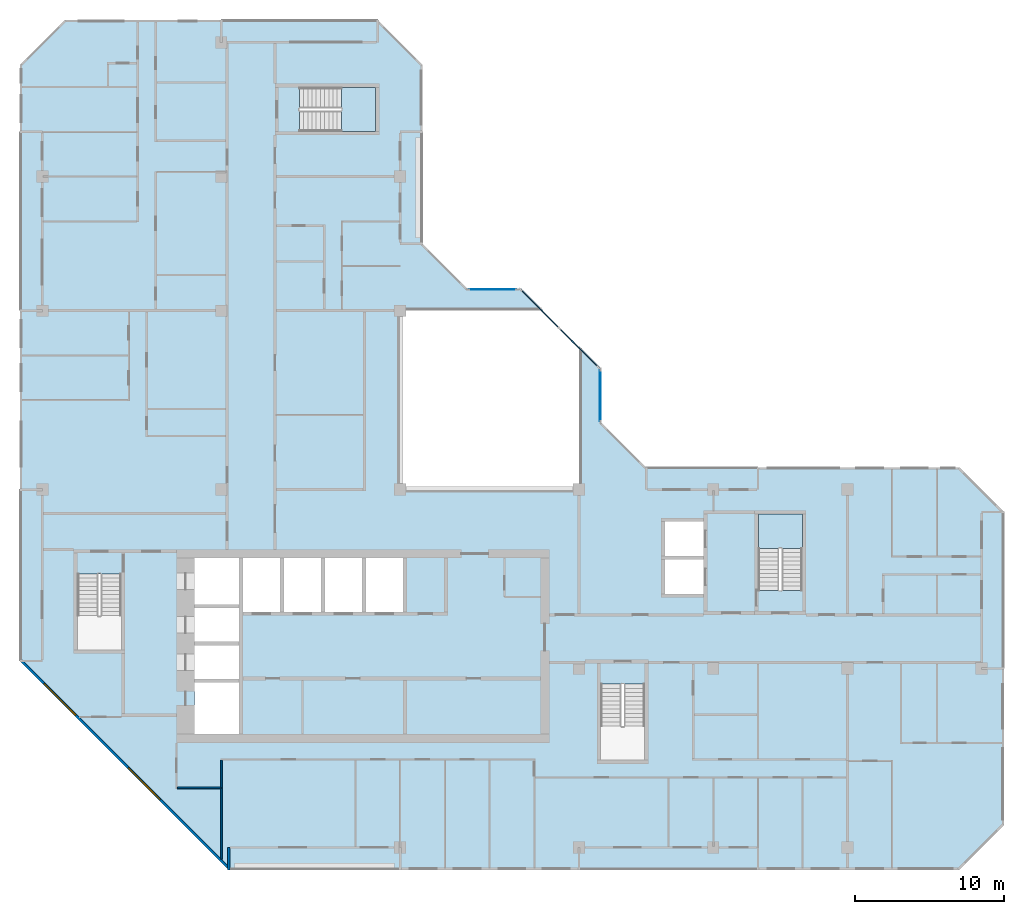
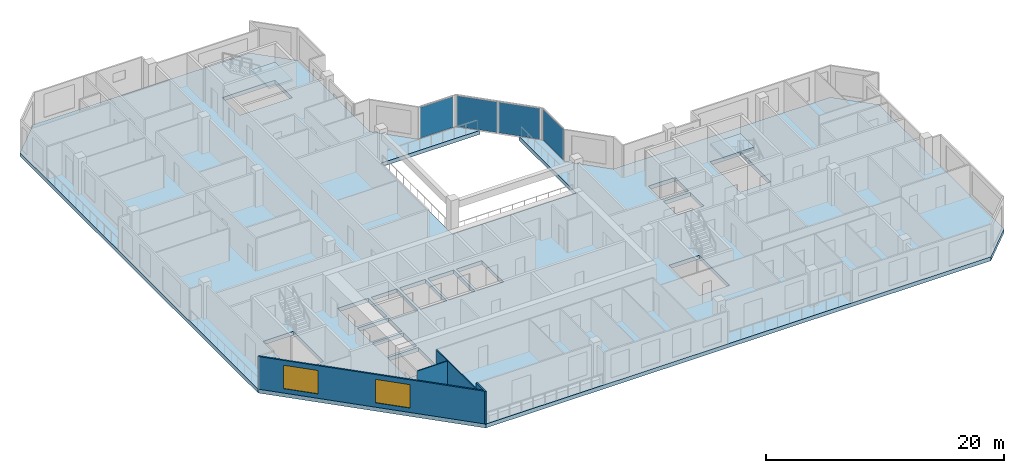
# One storey, part 3 of 13: 4 plates, 4 walls, 3 slabs, 2 windows, 2 openings, 5 elements without a shape of their own.
"""IFC4 building model written with IfcOpenShell, lengths in metres."""

from ifc_helpers import new_model, si_unit, direction, frame, frame_2d, origin, origin_2d, place, context, subcontext, project, spatial, polyline, rectangle, outline, extrude, material, layer, layer_set, type_object, element, fill, aggregate, save


model = new_model("IFC4")

# Units and contexts
model_context = context("Model", 3, precision=1e-05, world=origin(), true_north=direction((0.0, 1.0)))
body_context = subcontext(model_context, "Body", "Model", "MODEL_VIEW")
ifc_project = project(units=[si_unit("LENGTHUNIT", "METRE"), si_unit("AREAUNIT", "SQUARE_METRE"), si_unit("VOLUMEUNIT", "CUBIC_METRE"), si_unit("PLANEANGLEUNIT", "RADIAN"), si_unit("MASSUNIT", "GRAM", prefix="KILO")], contexts=[model_context])

# Site, building, storey
site_placement = place(None, origin())
site = spatial("IfcSite", under=ifc_project, at=site_placement, CompositionType="ELEMENT")
building_placement = place(site_placement, origin())
building = spatial("IfcBuilding", under=site, at=building_placement, Name="Chenar Terraces", CompositionType="ELEMENT")
storey_placement = place(building_placement, frame((0.0, 0.0, 284.64990234375)))
storey = spatial("IfcBuildingStorey", under=building, at=storey_placement, Name="L66", CompositionType="ELEMENT", Elevation=284.64990234375)

# Curtain wall, plate
ifc_material_1 = material(Name="Aluminium framed glazing", Category="aluminium")
ifc_layer_1 = layer(ifc_material_1, 0.14990234375)
ifc_layer_set_1 = layer_set([ifc_layer_1], Name="Aluminium framed glazing")
curtain_wall_type = type_object("IfcCurtainWallType", Name="Atrium upper-zone curtain wall", PredefinedType="NOTDEFINED", material=ifc_layer_set_1)
placement_1 = place(storey_placement, origin())
curtain_wall_1 = element("IfcCurtainWall", 1, at=placement_1, inside=storey, type_object=curtain_wall_type, Name="Atrium upper-zone curtain wall", PredefinedType="NOTDEFINED")
ifc_material_2 = material(Name="Low emissivity laminated glass, solar control coating", Category="glass")
ifc_layer_2 = layer(ifc_material_2, 0.050048828125)
ifc_layer_set_2 = layer_set([ifc_layer_2], Name="Low emissivity laminated glass, solar control coating")
plate_type = type_object("IfcPlateType", Name="Atrium upper-zone glazing panel 50", PredefinedType="CURTAIN_PANEL", material=ifc_layer_set_2)
plate_1_placement = place(storey_placement, frame((37.425048828125, 30.300048828125, 0.10009765625), z_axis=(0.0, 0.0, 1.0), x_axis=(0.0, 1.0, 0.0)))
plate_1 = element("IfcPlate", 2, at=plate_1_placement, type_object=plate_type, Name="CW8-1 panel 1.1", PredefinedType="CURTAIN_PANEL", context=body_context, shape_type="SweptSolid", body=[
    extrude(rectangle(XDim=3.39990234375, YDim=0.050048828125, at=origin_2d()), origin(), (0.0, 0.0, 1.0), 3.14990234375),
])
aggregate(curtain_wall_1, [plate_1])

# Curtain wall, plates
curtain_wall_2 = element("IfcCurtainWall", 3, at=placement_1, inside=storey, type_object=curtain_wall_type, Name="Atrium upper-zone curtain wall", PredefinedType="NOTDEFINED")
plate_2_placement = place(storey_placement, frame((35.97314453125, 33.520751953125, 0.10009765625), z_axis=(0.0, 0.0, 1.0), x_axis=(-0.707106781187, 0.707106781187, 0.0)))
plate_2 = element("IfcPlate", 4, at=plate_2_placement, type_object=plate_type, Name="CW8-2 panel 1.1", PredefinedType="CURTAIN_PANEL", context=body_context, shape_type="SweptSolid", body=[
    extrude(rectangle(XDim=3.568359375, YDim=0.050048828125, at=origin_2d()), origin(), (0.0, 0.0, 1.0), 3.14990234375),
])
plate_3_placement = place(storey_placement, frame((33.379150390625, 36.11474609375, 0.10009765625), z_axis=(0.0, 0.0, 1.0), x_axis=(-0.707106781187, 0.707106781187, 0.0)))
plate_3 = element("IfcPlate", 5, at=plate_3_placement, type_object=plate_type, Name="CW8-2 panel 2.1", PredefinedType="CURTAIN_PANEL", context=body_context, shape_type="SweptSolid", body=[
    extrude(rectangle(XDim=3.568359375, YDim=0.050048828125, at=origin_2d()), origin(), (0.0, 0.0, 1.0), 3.14990234375),
])
aggregate(curtain_wall_2, [plate_2, plate_3])

# Curtain wall, plate
curtain_wall_3 = element("IfcCurtainWall", 6, at=placement_1, inside=storey, type_object=curtain_wall_type, Name="Atrium upper-zone curtain wall", PredefinedType="NOTDEFINED")
plate_4_placement = place(storey_placement, frame((30.199951171875, 37.425048828125, 0.10009765625), z_axis=(0.0, 0.0, 1.0), x_axis=(-1.0, 0.0, 0.0)))
plate_4 = element("IfcPlate", 7, at=plate_4_placement, type_object=plate_type, Name="CW8-3 panel 1.1", PredefinedType="CURTAIN_PANEL", context=body_context, shape_type="SweptSolid", body=[
    extrude(rectangle(XDim=3.199951171875, YDim=0.050048828125, at=origin_2d()), origin(), (0.0, 0.0, 1.0), 3.14990234375),
])
aggregate(curtain_wall_3, [plate_4])

# Stair, slab
ifc_material_3 = material(Name="Reinforced concrete C40/50", Category="concrete")
stair_type = type_object("IfcStairType", Name="Core stair 1400 half-turn", PredefinedType="HALF_TURN_STAIR", material=ifc_material_3)
stair_1 = element("IfcStair", 8, at=placement_1, inside=storey, type_object=stair_type, Name="L66 Stair 3", PredefinedType="HALF_TURN_STAIR")
ifc_material_4 = material(Name="Reinforced concrete C40/50", Category="concrete")
ifc_layer_3 = layer(ifc_material_4, 0.199951171875)
ifc_layer_set_3 = layer_set([ifc_layer_3], Name="Reinforced concrete C40/50")
slab_type_1 = type_object("IfcSlabType", Name="Core stair landing 200", PredefinedType="LANDING", material=ifc_layer_set_3)
placement_2 = place(storey_placement, frame((0.0, 0.0, 1.675048828125)))
slab_1 = element("IfcSlab", 9, at=placement_2, type_object=slab_type_1, Name="ST3 landing 1", PredefinedType="LANDING", context=body_context, shape_type="SweptSolid", body=[
    extrude(outline(polyline([(50.97509765625, 20.050048828125), (50.97509765625, 22.35009765625), (48.02490234375, 22.35009765625), (48.02490234375, 20.050048828125), (50.97509765625, 20.050048828125)])), origin(), (0.0, 0.0, 1.0), 0.199951171875),
])
aggregate(stair_1, [slab_1])

stair_2 = element("IfcStair", 10, at=placement_1, inside=storey, type_object=stair_type, Name="L66 Stair 4", PredefinedType="HALF_TURN_STAIR")
slab_2 = element("IfcSlab", 11, at=placement_2, type_object=slab_type_1, Name="ST4 landing 1", PredefinedType="LANDING", context=body_context, shape_type="SweptSolid", body=[
    extrude(outline(polyline([(20.050048828125, 48.02490234375), (22.35009765625, 48.02490234375), (22.35009765625, 50.97509765625), (20.050048828125, 50.97509765625), (20.050048828125, 48.02490234375)])), origin(), (0.0, 0.0, 1.0), 0.199951171875),
])
aggregate(stair_2, [slab_2])

# Slab
ifc_material_5 = material(Name="Concrete C40/50", Category="concrete")
ifc_layer_4 = layer(ifc_material_5, 0.39990234375)
ifc_layer_set_4 = layer_set([ifc_layer_4], Name="Concrete C40/50")
slab_type_2 = type_object("IfcSlabType", Name="Floor slab 400 Concrete C40/50", PredefinedType="FLOOR", material=ifc_layer_set_4)
slab_3_placement = place(storey_placement, frame((0.0, 0.0, -0.39990234375)))
element("IfcSlab", 12, at=slab_3_placement, inside=storey, type_object=slab_type_2, Name="Floor slab L66", PredefinedType="FLOOR", context=body_context, shape_type="SweptSolid", body=[
    extrude(outline(polyline([(64.5, 22.5), (64.5, 1.5), (61.5, -1.5), (12.5, -1.5), (-1.5, 12.5), (-1.5, 52.5), (1.5, 55.5), (22.5, 55.5), (25.5, 52.5), (25.5, 40.5), (28.5, 37.5), (32.10009765625, 37.5), (33.60009765625, 36.0), (24.0, 36.0), (24.0, 24.0), (36.0, 24.0), (36.0, 33.60009765625), (37.5, 32.10009765625), (37.5, 28.5), (40.5, 25.5), (61.5, 25.5), (64.5, 22.5)]), holes=[polyline([(10.199951171875, 11.050048828125), (10.199951171875, 7.60009765625), (13.199951171875, 7.60009765625), (13.199951171875, 11.050048828125), (10.199951171875, 11.050048828125)]), polyline([(13.199951171875, 13.550048828125), (10.199951171875, 13.550048828125), (10.199951171875, 11.300048828125), (13.199951171875, 11.300048828125), (13.199951171875, 13.550048828125)]), polyline([(13.199951171875, 16.050048828125), (10.199951171875, 16.050048828125), (10.199951171875, 13.800048828125), (13.199951171875, 13.800048828125), (13.199951171875, 16.050048828125)]), polyline([(2.35009765625, 13.25), (5.300048828125, 13.25), (5.300048828125, 18.35009765625), (2.35009765625, 18.35009765625), (2.35009765625, 13.25)]), polyline([(15.949951171875, 19.39990234375), (13.449951171875, 19.39990234375), (13.449951171875, 15.800048828125), (15.949951171875, 15.800048828125), (15.949951171875, 19.39990234375)]), polyline([(18.699951171875, 19.39990234375), (16.199951171875, 19.39990234375), (16.199951171875, 15.800048828125), (18.699951171875, 15.800048828125), (18.699951171875, 19.39990234375)]), polyline([(13.199951171875, 19.39990234375), (10.199951171875, 19.39990234375), (10.199951171875, 16.300048828125), (13.199951171875, 16.300048828125), (13.199951171875, 19.39990234375)]), polyline([(22.35009765625, 48.02490234375), (22.35009765625, 50.97509765625), (17.25, 50.97509765625), (17.25, 48.02490234375), (22.35009765625, 48.02490234375)]), polyline([(37.449951171875, 5.85009765625), (40.39990234375, 5.85009765625), (40.39990234375, 10.949951171875), (37.449951171875, 10.949951171875), (37.449951171875, 5.85009765625)]), polyline([(21.449951171875, 19.39990234375), (18.949951171875, 19.39990234375), (18.949951171875, 15.800048828125), (21.449951171875, 15.800048828125), (21.449951171875, 19.39990234375)]), polyline([(24.199951171875, 19.39990234375), (21.699951171875, 19.39990234375), (21.699951171875, 15.800048828125), (24.199951171875, 15.800048828125), (24.199951171875, 19.39990234375)]), polyline([(44.35009765625, 19.300048828125), (41.75, 19.300048828125), (41.75, 17.0), (44.35009765625, 17.0), (44.35009765625, 19.300048828125)]), polyline([(50.97509765625, 22.35009765625), (48.02490234375, 22.35009765625), (48.02490234375, 17.25), (50.97509765625, 17.25), (50.97509765625, 22.35009765625)]), polyline([(44.35009765625, 21.85009765625), (41.75, 21.85009765625), (41.75, 19.550048828125), (44.35009765625, 19.550048828125), (44.35009765625, 21.85009765625)])]), origin(), (0.0, 0.0, 1.0), 0.39990234375),
])

# Walls
ifc_material_6 = material(Name="Gypsum board on steel studs", Category="steel")
ifc_layer_5 = layer(ifc_material_6, 0.10009765625)
ifc_layer_set_5 = layer_set([ifc_layer_5], Name="Gypsum board on steel studs")
wall_type_1 = type_object("IfcWallType", Name="Gypsum partition 100", PredefinedType="PARTITIONING", material=ifc_layer_set_5)
wall_1_placement = place(storey_placement, frame((9.050048828125, 4.0, 0.0), z_axis=(0.0, 0.0, 1.0), x_axis=(1.0, 0.0, 0.0)))
element("IfcWall", 13, at=wall_1_placement, inside=storey, type_object=wall_type_1, Name="Partition L66-025", PredefinedType="PARTITIONING", context=body_context, shape_type="SweptSolid", body=[
    extrude(rectangle(XDim=2.89990234375, YDim=0.10009765625, at=frame_2d((1.449951171875, 0.0))), origin(), (0.0, 0.0, 1.0), 3.35009765625),
])
wall_2_placement = place(storey_placement, frame((12.0, -0.787841796875, 0.0), z_axis=(0.0, 0.0, 1.0), x_axis=(0.0, 1.0, 0.0)))
element("IfcWall", 14, at=wall_2_placement, inside=storey, type_object=wall_type_1, Name="Partition L66-027", PredefinedType="PARTITIONING", context=body_context, shape_type="SweptSolid", body=[
    extrude(rectangle(XDim=6.637939453125, YDim=0.10009765625, at=frame_2d((3.31884765625, 0.0))), origin(), (0.0, 0.0, 1.0), 3.35009765625),
])
ifc_material_7 = material(Name="Terracotta cladding on insulated backing", Category="masonry")
ifc_layer_6 = layer(ifc_material_7, 0.14990234375)
ifc_layer_set_6 = layer_set([ifc_layer_6], Name="Terracotta cladding on insulated backing")
wall_type_2 = type_object("IfcWallType", Name="Loggia return wall 150", PredefinedType="SOLIDWALL", material=ifc_layer_set_6)
wall_3_placement = place(storey_placement, frame((12.5, -1.5, 0.0), z_axis=(0.0, 0.0, 1.0), x_axis=(0.0, 1.0, 0.0)))
element("IfcWall", 15, at=wall_3_placement, inside=storey, type_object=wall_type_2, Name="Loggia return wall", PredefinedType="SOLIDWALL", context=body_context, shape_type="SweptSolid", body=[
    extrude(rectangle(XDim=1.5, YDim=0.14990234375, at=frame_2d((0.75, 0.0))), origin(), (0.0, 0.0, 1.0), 3.35009765625),
])

# Wall, openings, windows
ifc_material_8 = material(Name="Terracotta cladding on insulated backing", Category="masonry")
ifc_layer_7 = layer(ifc_material_8, 0.14990234375)
ifc_layer_set_7 = layer_set([ifc_layer_7], Name="Terracotta cladding on insulated backing")
wall_type_3 = type_object("IfcWallType", Name="Terracotta rainscreen wall 150", PredefinedType="SOLIDWALL", material=ifc_layer_set_7)
wall_4_placement = place(storey_placement, frame((-1.447021484375, 12.552978515625, 0.0), z_axis=(0.0, 0.0, 1.0), x_axis=(0.707106781187, -0.707106781187, 0.0)))
wall_4 = element("IfcWall", 16, at=wall_4_placement, inside=storey, type_object=wall_type_3, Name="Terracotta rainscreen wall", PredefinedType="SOLIDWALL", context=body_context, shape_type="SweptSolid", body=[
    extrude(rectangle(XDim=19.799072265625, YDim=0.14990234375, at=frame_2d((9.8994140625, 0.0))), origin(), (0.0, 0.0, 1.0), 3.35009765625),
])
opening_1_placement = place(wall_4_placement, frame((2.21240234375, 0.0, 0.449951171875)))
opening_1 = element("IfcOpeningElement", 17, at=opening_1_placement, cuts=wall_4, Name="Opening W300x240", PredefinedType="OPENING", context=body_context, shape_type="SweptSolid", body=[
    extrude(rectangle(XDim=3.0, YDim=2.39990234375, at=frame_2d((1.5, 1.199951171875))), frame((0.0, 0.0849609375, 0.0), z_axis=(0.0, -1.0, 0.0), x_axis=(1.0, 0.0, 0.0)), (0.0, 0.0, 1.0), 0.169921875),
])
opening_2_placement = place(wall_4_placement, frame((10.215576171875, 0.0, 0.449951171875)))
opening_2 = element("IfcOpeningElement", 18, at=opening_2_placement, cuts=wall_4, Name="Opening W300x240", PredefinedType="OPENING", context=body_context, shape_type="SweptSolid", body=[
    extrude(rectangle(XDim=3.0, YDim=2.39990234375, at=frame_2d((1.5, 1.199951171875))), frame((0.0, 0.0849609375, 0.0), z_axis=(0.0, -1.0, 0.0), x_axis=(1.0, 0.0, 0.0)), (0.0, 0.0, 1.0), 0.169921875),
])
ifc_material_9 = material(Name="Low emissivity double glazing, aluminium frame", Category="aluminium")
window_type = type_object("IfcWindowType", Name="Fixed light 3000 x 2400", PartitioningType="SINGLE_PANEL", PredefinedType="WINDOW", material=ifc_material_9)
window_1_placement = place(opening_1_placement, origin())
window_1 = element("IfcWindow", 19, at=window_1_placement, inside=storey, type_object=window_type, Name="Window", OverallHeight=2.39990234375, OverallWidth=3.0, PartitioningType="SINGLE_PANEL", PredefinedType="WINDOW", context=body_context, shape_type="SweptSolid", body=[
    extrude(rectangle(XDim=3.0, YDim=2.39990234375, at=frame_2d((1.5, 1.199951171875))), frame((0.0, 0.030029296875, 0.0), z_axis=(0.0, -1.0, 0.0), x_axis=(1.0, 0.0, 0.0)), (0.0, 0.0, 1.0), 0.06005859375),
])
fill(opening_1, window_1)
window_2_placement = place(opening_2_placement, origin())
window_2 = element("IfcWindow", 20, at=window_2_placement, inside=storey, type_object=window_type, Name="Window", OverallHeight=2.39990234375, OverallWidth=3.0, PartitioningType="SINGLE_PANEL", PredefinedType="WINDOW", context=body_context, shape_type="SweptSolid", body=[
    extrude(rectangle(XDim=3.0, YDim=2.39990234375, at=frame_2d((1.5, 1.199951171875))), frame((0.0, 0.030029296875, 0.0), z_axis=(0.0, -1.0, 0.0), x_axis=(1.0, 0.0, 0.0)), (0.0, 0.0, 1.0), 0.06005859375),
])
fill(opening_2, window_2)

save(model, "model.ifc")
